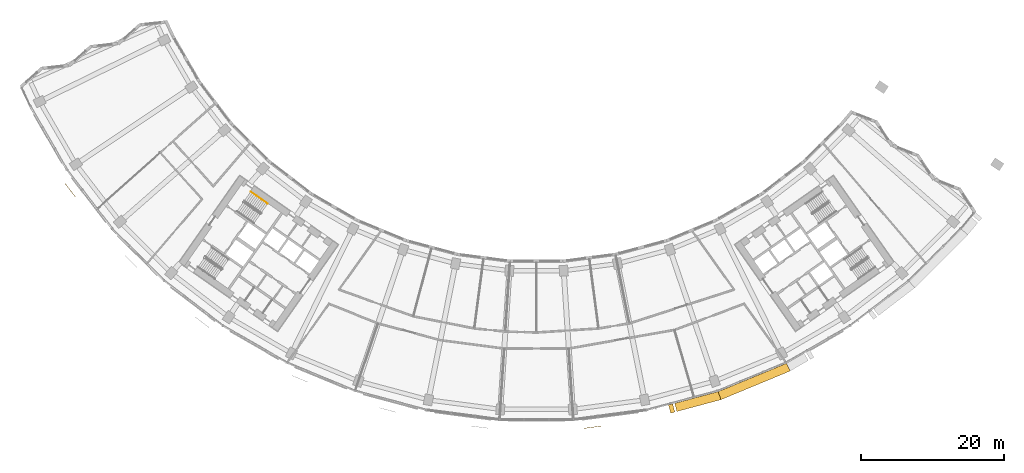
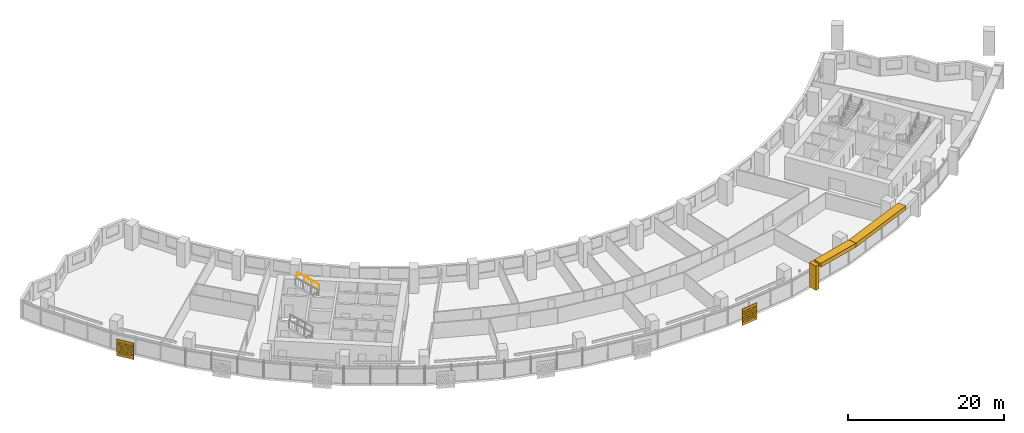
# One storey, part 27 of 29: 5 shading devices, 1 railing.
"""IFC4 building model written with IfcOpenShell, lengths in metres."""

from ifc_helpers import new_model, si_unit, direction, frame, origin, origin_2d, place, context, subcontext, project, spatial, polyline, circle, outline, extrude, material, material_profile, profile_set, type_object, element, save


model = new_model("IFC4")

# Units and contexts
model_context = context("Model", 3, precision=1e-05, world=origin(), true_north=direction((0.0, 1.0)))
body_context = subcontext(model_context, "Body", "Model", "MODEL_VIEW")
ifc_project = project(units=[si_unit("LENGTHUNIT", "METRE"), si_unit("AREAUNIT", "SQUARE_METRE"), si_unit("VOLUMEUNIT", "CUBIC_METRE"), si_unit("PLANEANGLEUNIT", "RADIAN"), si_unit("MASSUNIT", "GRAM", prefix="KILO")], contexts=[model_context])

# Site, building, storey
site_placement = place(None, origin())
site = spatial("IfcSite", under=ifc_project, at=site_placement, CompositionType="ELEMENT")
building_placement = place(site_placement, origin())
building = spatial("IfcBuilding", under=site, at=building_placement, Name="Qamariyya Broadcast Tower", CompositionType="ELEMENT")
storey_placement = place(building_placement, frame((0.0, 0.0, 129.10009765625)))
storey = spatial("IfcBuildingStorey", under=building, at=storey_placement, Name="L29", CompositionType="ELEMENT", Elevation=129.10009765625)

# Shading devices
ifc_material_1 = material(Name="Steel S355 powder coated deep red", Category="steel")
shading_device_type_1 = type_object("IfcShadingDeviceType", Name="Deep red frame, powder coated steel box section", PredefinedType="USERDEFINED", material=ifc_material_1)
shading_device_1_placement = place(storey_placement, origin())
element("IfcShadingDevice", 1, at=shading_device_1_placement, inside=storey, type_object=shading_device_type_1, Name="e-frm-B2-F2-posta-L29", ObjectType="FRAME", PredefinedType="USERDEFINED", context=body_context, shape_type="SweptSolid", body=[
    extrude(outline(polyline([(18.520751953125, -76.958984375), (18.831298828125, -78.1181640625), (19.410888671875, -77.962890625), (19.100341796875, -76.8037109375), (18.520751953125, -76.958984375)])), origin(), (0.0, 0.0, 1.0), 3.7998046875),
])
shading_device_2_placement = place(storey_placement, frame((0.0, 0.0, 3.199951171875)))
element("IfcShadingDevice", 2, at=shading_device_2_placement, inside=storey, type_object=shading_device_type_1, Name="e-frm-B2-F2-top0", ObjectType="FRAME", PredefinedType="USERDEFINED", context=body_context, shape_type="SweptSolid", body=[
    extrude(outline(polyline([(19.39013671875, -76.72607421875), (19.70068359375, -77.88525390625), (25.876708984375, -76.230224609375), (25.490234375, -75.091552734375), (19.39013671875, -76.72607421875)])), origin(), (0.0, 0.0, 1.0), 0.599853515625),
])
shading_device_3_placement = place(storey_placement, frame((0.0, 0.0, 3.199951171875)))
element("IfcShadingDevice", 3, at=shading_device_3_placement, inside=storey, type_object=shading_device_type_1, Name="e-frm-B2-F2-top1", ObjectType="FRAME", PredefinedType="USERDEFINED", context=body_context, shape_type="SweptSolid", body=[
    extrude(outline(polyline([(25.490234375, -75.091552734375), (25.876708984375, -76.230224609375), (35.60546875, -72.20068359375), (35.073486328125, -71.1220703125), (25.490234375, -75.091552734375)])), origin(), (0.0, 0.0, 1.0), 0.599853515625),
])
ifc_material_2 = material(Name="Perforated glazed terracotta", Category="masonry")
ifc_material_profile = material_profile(ifc_material_2, outline(polyline([(-1.199951171875, -1.300048828125), (1.199951171875, -1.300048828125), (1.199951171875, 1.300048828125), (-1.199951171875, 1.300048828125), (-1.199951171875, -1.300048828125)]), holes=[polyline([(-0.81494140625, -0.86669921875), (-0.89990234375, -0.78173828125), (-0.985107421875, -0.86669921875), (-0.89990234375, -0.95166015625), (-0.81494140625, -0.86669921875)]), polyline([(-0.514892578125, -0.86669921875), (-0.60009765625, -0.78173828125), (-0.68505859375, -0.86669921875), (-0.60009765625, -0.95166015625), (-0.514892578125, -0.86669921875)]), polyline([(-0.215087890625, -0.86669921875), (-0.300048828125, -0.78173828125), (-0.385009765625, -0.86669921875), (-0.300048828125, -0.95166015625), (-0.215087890625, -0.86669921875)]), polyline([(0.0849609375, -0.86669921875), (0.0, -0.78173828125), (-0.0849609375, -0.86669921875), (0.0, -0.95166015625), (0.0849609375, -0.86669921875)]), polyline([(0.385009765625, -0.86669921875), (0.300048828125, -0.78173828125), (0.215087890625, -0.86669921875), (0.300048828125, -0.95166015625), (0.385009765625, -0.86669921875)]), polyline([(0.68505859375, -0.86669921875), (0.60009765625, -0.78173828125), (0.514892578125, -0.86669921875), (0.60009765625, -0.95166015625), (0.68505859375, -0.86669921875)]), polyline([(0.985107421875, -0.86669921875), (0.89990234375, -0.78173828125), (0.81494140625, -0.86669921875), (0.89990234375, -0.95166015625), (0.985107421875, -0.86669921875)]), polyline([(-0.965087890625, -0.577880859375), (-1.050048828125, -0.49267578125), (-1.135009765625, -0.577880859375), (-1.050048828125, -0.662841796875), (-0.965087890625, -0.577880859375)]), polyline([(-0.6650390625, -0.577880859375), (-0.75, -0.49267578125), (-0.8349609375, -0.577880859375), (-0.75, -0.662841796875), (-0.6650390625, -0.577880859375)]), polyline([(-0.364990234375, -0.577880859375), (-0.449951171875, -0.49267578125), (-0.534912109375, -0.577880859375), (-0.449951171875, -0.662841796875), (-0.364990234375, -0.577880859375)]), polyline([(-0.06494140625, -0.577880859375), (-0.14990234375, -0.49267578125), (-0.235107421875, -0.577880859375), (-0.14990234375, -0.662841796875), (-0.06494140625, -0.577880859375)]), polyline([(0.235107421875, -0.577880859375), (0.14990234375, -0.49267578125), (0.06494140625, -0.577880859375), (0.14990234375, -0.662841796875), (0.235107421875, -0.577880859375)]), polyline([(0.534912109375, -0.577880859375), (0.449951171875, -0.49267578125), (0.364990234375, -0.577880859375), (0.449951171875, -0.662841796875), (0.534912109375, -0.577880859375)]), polyline([(0.8349609375, -0.577880859375), (0.75, -0.49267578125), (0.6650390625, -0.577880859375), (0.75, -0.662841796875), (0.8349609375, -0.577880859375)]), polyline([(1.135009765625, -0.577880859375), (1.050048828125, -0.49267578125), (0.965087890625, -0.577880859375), (1.050048828125, -0.662841796875), (1.135009765625, -0.577880859375)]), polyline([(-0.81494140625, -0.288818359375), (-0.89990234375, -0.203857421875), (-0.985107421875, -0.288818359375), (-0.89990234375, -0.373779296875), (-0.81494140625, -0.288818359375)]), polyline([(-0.514892578125, -0.288818359375), (-0.60009765625, -0.203857421875), (-0.68505859375, -0.288818359375), (-0.60009765625, -0.373779296875), (-0.514892578125, -0.288818359375)]), polyline([(-0.215087890625, -0.288818359375), (-0.300048828125, -0.203857421875), (-0.385009765625, -0.288818359375), (-0.300048828125, -0.373779296875), (-0.215087890625, -0.288818359375)]), polyline([(0.0849609375, -0.288818359375), (0.0, -0.203857421875), (-0.0849609375, -0.288818359375), (0.0, -0.373779296875), (0.0849609375, -0.288818359375)]), polyline([(0.385009765625, -0.288818359375), (0.300048828125, -0.203857421875), (0.215087890625, -0.288818359375), (0.300048828125, -0.373779296875), (0.385009765625, -0.288818359375)]), polyline([(0.68505859375, -0.288818359375), (0.60009765625, -0.203857421875), (0.514892578125, -0.288818359375), (0.60009765625, -0.373779296875), (0.68505859375, -0.288818359375)]), polyline([(0.985107421875, -0.288818359375), (0.89990234375, -0.203857421875), (0.81494140625, -0.288818359375), (0.89990234375, -0.373779296875), (0.985107421875, -0.288818359375)]), polyline([(-0.965087890625, 0.0), (-1.050048828125, 0.0849609375), (-1.135009765625, 0.0), (-1.050048828125, -0.0849609375), (-0.965087890625, 0.0)]), polyline([(-0.6650390625, 0.0), (-0.75, 0.0849609375), (-0.8349609375, 0.0), (-0.75, -0.0849609375), (-0.6650390625, 0.0)]), polyline([(-0.364990234375, 0.0), (-0.449951171875, 0.0849609375), (-0.534912109375, 0.0), (-0.449951171875, -0.0849609375), (-0.364990234375, 0.0)]), polyline([(-0.06494140625, 0.0), (-0.14990234375, 0.0849609375), (-0.235107421875, 0.0), (-0.14990234375, -0.0849609375), (-0.06494140625, 0.0)]), polyline([(0.235107421875, 0.0), (0.14990234375, 0.0849609375), (0.06494140625, 0.0), (0.14990234375, -0.0849609375), (0.235107421875, 0.0)]), polyline([(0.534912109375, 0.0), (0.449951171875, 0.0849609375), (0.364990234375, 0.0), (0.449951171875, -0.0849609375), (0.534912109375, 0.0)]), polyline([(0.8349609375, 0.0), (0.75, 0.0849609375), (0.6650390625, 0.0), (0.75, -0.0849609375), (0.8349609375, 0.0)]), polyline([(1.135009765625, 0.0), (1.050048828125, 0.0849609375), (0.965087890625, 0.0), (1.050048828125, -0.0849609375), (1.135009765625, 0.0)]), polyline([(-0.81494140625, 0.288818359375), (-0.89990234375, 0.373779296875), (-0.985107421875, 0.288818359375), (-0.89990234375, 0.203857421875), (-0.81494140625, 0.288818359375)]), polyline([(-0.514892578125, 0.288818359375), (-0.60009765625, 0.373779296875), (-0.68505859375, 0.288818359375), (-0.60009765625, 0.203857421875), (-0.514892578125, 0.288818359375)]), polyline([(-0.215087890625, 0.288818359375), (-0.300048828125, 0.373779296875), (-0.385009765625, 0.288818359375), (-0.300048828125, 0.203857421875), (-0.215087890625, 0.288818359375)]), polyline([(0.0849609375, 0.288818359375), (0.0, 0.373779296875), (-0.0849609375, 0.288818359375), (0.0, 0.203857421875), (0.0849609375, 0.288818359375)]), polyline([(0.385009765625, 0.288818359375), (0.300048828125, 0.373779296875), (0.215087890625, 0.288818359375), (0.300048828125, 0.203857421875), (0.385009765625, 0.288818359375)]), polyline([(0.68505859375, 0.288818359375), (0.60009765625, 0.373779296875), (0.514892578125, 0.288818359375), (0.60009765625, 0.203857421875), (0.68505859375, 0.288818359375)]), polyline([(0.985107421875, 0.288818359375), (0.89990234375, 0.373779296875), (0.81494140625, 0.288818359375), (0.89990234375, 0.203857421875), (0.985107421875, 0.288818359375)]), polyline([(-0.965087890625, 0.577880859375), (-1.050048828125, 0.662841796875), (-1.135009765625, 0.577880859375), (-1.050048828125, 0.49267578125), (-0.965087890625, 0.577880859375)]), polyline([(-0.6650390625, 0.577880859375), (-0.75, 0.662841796875), (-0.8349609375, 0.577880859375), (-0.75, 0.49267578125), (-0.6650390625, 0.577880859375)]), polyline([(-0.364990234375, 0.577880859375), (-0.449951171875, 0.662841796875), (-0.534912109375, 0.577880859375), (-0.449951171875, 0.49267578125), (-0.364990234375, 0.577880859375)]), polyline([(-0.06494140625, 0.577880859375), (-0.14990234375, 0.662841796875), (-0.235107421875, 0.577880859375), (-0.14990234375, 0.49267578125), (-0.06494140625, 0.577880859375)]), polyline([(0.235107421875, 0.577880859375), (0.14990234375, 0.662841796875), (0.06494140625, 0.577880859375), (0.14990234375, 0.49267578125), (0.235107421875, 0.577880859375)]), polyline([(0.534912109375, 0.577880859375), (0.449951171875, 0.662841796875), (0.364990234375, 0.577880859375), (0.449951171875, 0.49267578125), (0.534912109375, 0.577880859375)]), polyline([(0.8349609375, 0.577880859375), (0.75, 0.662841796875), (0.6650390625, 0.577880859375), (0.75, 0.49267578125), (0.8349609375, 0.577880859375)]), polyline([(1.135009765625, 0.577880859375), (1.050048828125, 0.662841796875), (0.965087890625, 0.577880859375), (1.050048828125, 0.49267578125), (1.135009765625, 0.577880859375)]), polyline([(-0.81494140625, 0.86669921875), (-0.89990234375, 0.95166015625), (-0.985107421875, 0.86669921875), (-0.89990234375, 0.78173828125), (-0.81494140625, 0.86669921875)]), polyline([(-0.514892578125, 0.86669921875), (-0.60009765625, 0.95166015625), (-0.68505859375, 0.86669921875), (-0.60009765625, 0.78173828125), (-0.514892578125, 0.86669921875)]), polyline([(-0.215087890625, 0.86669921875), (-0.300048828125, 0.95166015625), (-0.385009765625, 0.86669921875), (-0.300048828125, 0.78173828125), (-0.215087890625, 0.86669921875)]), polyline([(0.0849609375, 0.86669921875), (0.0, 0.95166015625), (-0.0849609375, 0.86669921875), (0.0, 0.78173828125), (0.0849609375, 0.86669921875)]), polyline([(0.385009765625, 0.86669921875), (0.300048828125, 0.95166015625), (0.215087890625, 0.86669921875), (0.300048828125, 0.78173828125), (0.385009765625, 0.86669921875)]), polyline([(0.68505859375, 0.86669921875), (0.60009765625, 0.95166015625), (0.514892578125, 0.86669921875), (0.60009765625, 0.78173828125), (0.68505859375, 0.86669921875)]), polyline([(0.985107421875, 0.86669921875), (0.89990234375, 0.95166015625), (0.81494140625, 0.86669921875), (0.89990234375, 0.78173828125), (0.985107421875, 0.86669921875)])]))
ifc_profile_set = profile_set([ifc_material_profile], Name="Perforated glazed terracotta")
shading_device_type_2 = type_object("IfcShadingDeviceType", Name="Perforated terracotta screen 2400 x 2600", PredefinedType="USERDEFINED", material=ifc_profile_set)
shading_device_4_placement = place(storey_placement, frame((-65.392822265625, -46.85009765625, 1.349853515625), z_axis=(-0.792623989105, -0.60971076085, 0.0), x_axis=(0.60971076085, -0.792623989105, 0.0)))
element("IfcShadingDevice", 4, at=shading_device_4_placement, inside=storey, type_object=shading_device_type_2, Name="e-scr-L29-02-0", ObjectType="SCREEN", PredefinedType="USERDEFINED", context=body_context, shape_type="SweptSolid", body=[
    extrude(outline(polyline([(-1.199951171875, -1.300048828125), (1.199951171875, -1.300048828125), (1.199951171875, 1.300048828125), (-1.199951171875, 1.300048828125), (-1.199951171875, -1.300048828125)]), holes=[polyline([(-0.81494140625, -0.86669921875), (-0.89990234375, -0.78173828125), (-0.985107421875, -0.86669921875), (-0.89990234375, -0.95166015625), (-0.81494140625, -0.86669921875)]), polyline([(-0.514892578125, -0.86669921875), (-0.60009765625, -0.78173828125), (-0.68505859375, -0.86669921875), (-0.60009765625, -0.95166015625), (-0.514892578125, -0.86669921875)]), polyline([(-0.215087890625, -0.86669921875), (-0.300048828125, -0.78173828125), (-0.385009765625, -0.86669921875), (-0.300048828125, -0.95166015625), (-0.215087890625, -0.86669921875)]), polyline([(0.0849609375, -0.86669921875), (0.0, -0.78173828125), (-0.0849609375, -0.86669921875), (0.0, -0.95166015625), (0.0849609375, -0.86669921875)]), polyline([(0.385009765625, -0.86669921875), (0.300048828125, -0.78173828125), (0.215087890625, -0.86669921875), (0.300048828125, -0.95166015625), (0.385009765625, -0.86669921875)]), polyline([(0.68505859375, -0.86669921875), (0.60009765625, -0.78173828125), (0.514892578125, -0.86669921875), (0.60009765625, -0.95166015625), (0.68505859375, -0.86669921875)]), polyline([(0.985107421875, -0.86669921875), (0.89990234375, -0.78173828125), (0.81494140625, -0.86669921875), (0.89990234375, -0.95166015625), (0.985107421875, -0.86669921875)]), polyline([(-0.965087890625, -0.577880859375), (-1.050048828125, -0.49267578125), (-1.135009765625, -0.577880859375), (-1.050048828125, -0.662841796875), (-0.965087890625, -0.577880859375)]), polyline([(-0.6650390625, -0.577880859375), (-0.75, -0.49267578125), (-0.8349609375, -0.577880859375), (-0.75, -0.662841796875), (-0.6650390625, -0.577880859375)]), polyline([(-0.364990234375, -0.577880859375), (-0.449951171875, -0.49267578125), (-0.534912109375, -0.577880859375), (-0.449951171875, -0.662841796875), (-0.364990234375, -0.577880859375)]), polyline([(-0.06494140625, -0.577880859375), (-0.14990234375, -0.49267578125), (-0.235107421875, -0.577880859375), (-0.14990234375, -0.662841796875), (-0.06494140625, -0.577880859375)]), polyline([(0.235107421875, -0.577880859375), (0.14990234375, -0.49267578125), (0.06494140625, -0.577880859375), (0.14990234375, -0.662841796875), (0.235107421875, -0.577880859375)]), polyline([(0.534912109375, -0.577880859375), (0.449951171875, -0.49267578125), (0.364990234375, -0.577880859375), (0.449951171875, -0.662841796875), (0.534912109375, -0.577880859375)]), polyline([(0.8349609375, -0.577880859375), (0.75, -0.49267578125), (0.6650390625, -0.577880859375), (0.75, -0.662841796875), (0.8349609375, -0.577880859375)]), polyline([(1.135009765625, -0.577880859375), (1.050048828125, -0.49267578125), (0.965087890625, -0.577880859375), (1.050048828125, -0.662841796875), (1.135009765625, -0.577880859375)]), polyline([(-0.81494140625, -0.288818359375), (-0.89990234375, -0.203857421875), (-0.985107421875, -0.288818359375), (-0.89990234375, -0.373779296875), (-0.81494140625, -0.288818359375)]), polyline([(-0.514892578125, -0.288818359375), (-0.60009765625, -0.203857421875), (-0.68505859375, -0.288818359375), (-0.60009765625, -0.373779296875), (-0.514892578125, -0.288818359375)]), polyline([(-0.215087890625, -0.288818359375), (-0.300048828125, -0.203857421875), (-0.385009765625, -0.288818359375), (-0.300048828125, -0.373779296875), (-0.215087890625, -0.288818359375)]), polyline([(0.0849609375, -0.288818359375), (0.0, -0.203857421875), (-0.0849609375, -0.288818359375), (0.0, -0.373779296875), (0.0849609375, -0.288818359375)]), polyline([(0.385009765625, -0.288818359375), (0.300048828125, -0.203857421875), (0.215087890625, -0.288818359375), (0.300048828125, -0.373779296875), (0.385009765625, -0.288818359375)]), polyline([(0.68505859375, -0.288818359375), (0.60009765625, -0.203857421875), (0.514892578125, -0.288818359375), (0.60009765625, -0.373779296875), (0.68505859375, -0.288818359375)]), polyline([(0.985107421875, -0.288818359375), (0.89990234375, -0.203857421875), (0.81494140625, -0.288818359375), (0.89990234375, -0.373779296875), (0.985107421875, -0.288818359375)]), polyline([(-0.965087890625, 0.0), (-1.050048828125, 0.0849609375), (-1.135009765625, 0.0), (-1.050048828125, -0.0849609375), (-0.965087890625, 0.0)]), polyline([(-0.6650390625, 0.0), (-0.75, 0.0849609375), (-0.8349609375, 0.0), (-0.75, -0.0849609375), (-0.6650390625, 0.0)]), polyline([(-0.364990234375, 0.0), (-0.449951171875, 0.0849609375), (-0.534912109375, 0.0), (-0.449951171875, -0.0849609375), (-0.364990234375, 0.0)]), polyline([(-0.06494140625, 0.0), (-0.14990234375, 0.0849609375), (-0.235107421875, 0.0), (-0.14990234375, -0.0849609375), (-0.06494140625, 0.0)]), polyline([(0.235107421875, 0.0), (0.14990234375, 0.0849609375), (0.06494140625, 0.0), (0.14990234375, -0.0849609375), (0.235107421875, 0.0)]), polyline([(0.534912109375, 0.0), (0.449951171875, 0.0849609375), (0.364990234375, 0.0), (0.449951171875, -0.0849609375), (0.534912109375, 0.0)]), polyline([(0.8349609375, 0.0), (0.75, 0.0849609375), (0.6650390625, 0.0), (0.75, -0.0849609375), (0.8349609375, 0.0)]), polyline([(1.135009765625, 0.0), (1.050048828125, 0.0849609375), (0.965087890625, 0.0), (1.050048828125, -0.0849609375), (1.135009765625, 0.0)]), polyline([(-0.81494140625, 0.288818359375), (-0.89990234375, 0.373779296875), (-0.985107421875, 0.288818359375), (-0.89990234375, 0.203857421875), (-0.81494140625, 0.288818359375)]), polyline([(-0.514892578125, 0.288818359375), (-0.60009765625, 0.373779296875), (-0.68505859375, 0.288818359375), (-0.60009765625, 0.203857421875), (-0.514892578125, 0.288818359375)]), polyline([(-0.215087890625, 0.288818359375), (-0.300048828125, 0.373779296875), (-0.385009765625, 0.288818359375), (-0.300048828125, 0.203857421875), (-0.215087890625, 0.288818359375)]), polyline([(0.0849609375, 0.288818359375), (0.0, 0.373779296875), (-0.0849609375, 0.288818359375), (0.0, 0.203857421875), (0.0849609375, 0.288818359375)]), polyline([(0.385009765625, 0.288818359375), (0.300048828125, 0.373779296875), (0.215087890625, 0.288818359375), (0.300048828125, 0.203857421875), (0.385009765625, 0.288818359375)]), polyline([(0.68505859375, 0.288818359375), (0.60009765625, 0.373779296875), (0.514892578125, 0.288818359375), (0.60009765625, 0.203857421875), (0.68505859375, 0.288818359375)]), polyline([(0.985107421875, 0.288818359375), (0.89990234375, 0.373779296875), (0.81494140625, 0.288818359375), (0.89990234375, 0.203857421875), (0.985107421875, 0.288818359375)]), polyline([(-0.965087890625, 0.577880859375), (-1.050048828125, 0.662841796875), (-1.135009765625, 0.577880859375), (-1.050048828125, 0.49267578125), (-0.965087890625, 0.577880859375)]), polyline([(-0.6650390625, 0.577880859375), (-0.75, 0.662841796875), (-0.8349609375, 0.577880859375), (-0.75, 0.49267578125), (-0.6650390625, 0.577880859375)]), polyline([(-0.364990234375, 0.577880859375), (-0.449951171875, 0.662841796875), (-0.534912109375, 0.577880859375), (-0.449951171875, 0.49267578125), (-0.364990234375, 0.577880859375)]), polyline([(-0.06494140625, 0.577880859375), (-0.14990234375, 0.662841796875), (-0.235107421875, 0.577880859375), (-0.14990234375, 0.49267578125), (-0.06494140625, 0.577880859375)]), polyline([(0.235107421875, 0.577880859375), (0.14990234375, 0.662841796875), (0.06494140625, 0.577880859375), (0.14990234375, 0.49267578125), (0.235107421875, 0.577880859375)]), polyline([(0.534912109375, 0.577880859375), (0.449951171875, 0.662841796875), (0.364990234375, 0.577880859375), (0.449951171875, 0.49267578125), (0.534912109375, 0.577880859375)]), polyline([(0.8349609375, 0.577880859375), (0.75, 0.662841796875), (0.6650390625, 0.577880859375), (0.75, 0.49267578125), (0.8349609375, 0.577880859375)]), polyline([(1.135009765625, 0.577880859375), (1.050048828125, 0.662841796875), (0.965087890625, 0.577880859375), (1.050048828125, 0.49267578125), (1.135009765625, 0.577880859375)]), polyline([(-0.81494140625, 0.86669921875), (-0.89990234375, 0.95166015625), (-0.985107421875, 0.86669921875), (-0.89990234375, 0.78173828125), (-0.81494140625, 0.86669921875)]), polyline([(-0.514892578125, 0.86669921875), (-0.60009765625, 0.95166015625), (-0.68505859375, 0.86669921875), (-0.60009765625, 0.78173828125), (-0.514892578125, 0.86669921875)]), polyline([(-0.215087890625, 0.86669921875), (-0.300048828125, 0.95166015625), (-0.385009765625, 0.86669921875), (-0.300048828125, 0.78173828125), (-0.215087890625, 0.86669921875)]), polyline([(0.0849609375, 0.86669921875), (0.0, 0.95166015625), (-0.0849609375, 0.86669921875), (0.0, 0.78173828125), (0.0849609375, 0.86669921875)]), polyline([(0.385009765625, 0.86669921875), (0.300048828125, 0.95166015625), (0.215087890625, 0.86669921875), (0.300048828125, 0.78173828125), (0.385009765625, 0.86669921875)]), polyline([(0.68505859375, 0.86669921875), (0.60009765625, 0.95166015625), (0.514892578125, 0.86669921875), (0.60009765625, 0.78173828125), (0.68505859375, 0.86669921875)]), polyline([(0.985107421875, 0.86669921875), (0.89990234375, 0.95166015625), (0.81494140625, 0.86669921875), (0.89990234375, 0.78173828125), (0.985107421875, 0.86669921875)])]), origin(), (0.0, 0.0, 1.0), 0.06005859375),
])
shading_device_5_placement = place(storey_placement, frame((7.876953125, -80.056884765625, 1.349853515625), z_axis=(0.134025693798, -0.99097785717, 0.0), x_axis=(0.99097785717, 0.134025693798, 0.0)))
element("IfcShadingDevice", 5, at=shading_device_5_placement, inside=storey, type_object=shading_device_type_2, Name="e-scr-L29-10-0", ObjectType="SCREEN", PredefinedType="USERDEFINED", context=body_context, shape_type="SweptSolid", body=[
    extrude(outline(polyline([(-1.199951171875, -1.300048828125), (1.199951171875, -1.300048828125), (1.199951171875, 1.300048828125), (-1.199951171875, 1.300048828125), (-1.199951171875, -1.300048828125)]), holes=[polyline([(-0.81494140625, -0.86669921875), (-0.89990234375, -0.78173828125), (-0.985107421875, -0.86669921875), (-0.89990234375, -0.95166015625), (-0.81494140625, -0.86669921875)]), polyline([(-0.514892578125, -0.86669921875), (-0.60009765625, -0.78173828125), (-0.68505859375, -0.86669921875), (-0.60009765625, -0.95166015625), (-0.514892578125, -0.86669921875)]), polyline([(-0.215087890625, -0.86669921875), (-0.300048828125, -0.78173828125), (-0.385009765625, -0.86669921875), (-0.300048828125, -0.95166015625), (-0.215087890625, -0.86669921875)]), polyline([(0.0849609375, -0.86669921875), (0.0, -0.78173828125), (-0.0849609375, -0.86669921875), (0.0, -0.95166015625), (0.0849609375, -0.86669921875)]), polyline([(0.385009765625, -0.86669921875), (0.300048828125, -0.78173828125), (0.215087890625, -0.86669921875), (0.300048828125, -0.95166015625), (0.385009765625, -0.86669921875)]), polyline([(0.68505859375, -0.86669921875), (0.60009765625, -0.78173828125), (0.514892578125, -0.86669921875), (0.60009765625, -0.95166015625), (0.68505859375, -0.86669921875)]), polyline([(0.985107421875, -0.86669921875), (0.89990234375, -0.78173828125), (0.81494140625, -0.86669921875), (0.89990234375, -0.95166015625), (0.985107421875, -0.86669921875)]), polyline([(-0.965087890625, -0.577880859375), (-1.050048828125, -0.49267578125), (-1.135009765625, -0.577880859375), (-1.050048828125, -0.662841796875), (-0.965087890625, -0.577880859375)]), polyline([(-0.6650390625, -0.577880859375), (-0.75, -0.49267578125), (-0.8349609375, -0.577880859375), (-0.75, -0.662841796875), (-0.6650390625, -0.577880859375)]), polyline([(-0.364990234375, -0.577880859375), (-0.449951171875, -0.49267578125), (-0.534912109375, -0.577880859375), (-0.449951171875, -0.662841796875), (-0.364990234375, -0.577880859375)]), polyline([(-0.06494140625, -0.577880859375), (-0.14990234375, -0.49267578125), (-0.235107421875, -0.577880859375), (-0.14990234375, -0.662841796875), (-0.06494140625, -0.577880859375)]), polyline([(0.235107421875, -0.577880859375), (0.14990234375, -0.49267578125), (0.06494140625, -0.577880859375), (0.14990234375, -0.662841796875), (0.235107421875, -0.577880859375)]), polyline([(0.534912109375, -0.577880859375), (0.449951171875, -0.49267578125), (0.364990234375, -0.577880859375), (0.449951171875, -0.662841796875), (0.534912109375, -0.577880859375)]), polyline([(0.8349609375, -0.577880859375), (0.75, -0.49267578125), (0.6650390625, -0.577880859375), (0.75, -0.662841796875), (0.8349609375, -0.577880859375)]), polyline([(1.135009765625, -0.577880859375), (1.050048828125, -0.49267578125), (0.965087890625, -0.577880859375), (1.050048828125, -0.662841796875), (1.135009765625, -0.577880859375)]), polyline([(-0.81494140625, -0.288818359375), (-0.89990234375, -0.203857421875), (-0.985107421875, -0.288818359375), (-0.89990234375, -0.373779296875), (-0.81494140625, -0.288818359375)]), polyline([(-0.514892578125, -0.288818359375), (-0.60009765625, -0.203857421875), (-0.68505859375, -0.288818359375), (-0.60009765625, -0.373779296875), (-0.514892578125, -0.288818359375)]), polyline([(-0.215087890625, -0.288818359375), (-0.300048828125, -0.203857421875), (-0.385009765625, -0.288818359375), (-0.300048828125, -0.373779296875), (-0.215087890625, -0.288818359375)]), polyline([(0.0849609375, -0.288818359375), (0.0, -0.203857421875), (-0.0849609375, -0.288818359375), (0.0, -0.373779296875), (0.0849609375, -0.288818359375)]), polyline([(0.385009765625, -0.288818359375), (0.300048828125, -0.203857421875), (0.215087890625, -0.288818359375), (0.300048828125, -0.373779296875), (0.385009765625, -0.288818359375)]), polyline([(0.68505859375, -0.288818359375), (0.60009765625, -0.203857421875), (0.514892578125, -0.288818359375), (0.60009765625, -0.373779296875), (0.68505859375, -0.288818359375)]), polyline([(0.985107421875, -0.288818359375), (0.89990234375, -0.203857421875), (0.81494140625, -0.288818359375), (0.89990234375, -0.373779296875), (0.985107421875, -0.288818359375)]), polyline([(-0.965087890625, 0.0), (-1.050048828125, 0.0849609375), (-1.135009765625, 0.0), (-1.050048828125, -0.0849609375), (-0.965087890625, 0.0)]), polyline([(-0.6650390625, 0.0), (-0.75, 0.0849609375), (-0.8349609375, 0.0), (-0.75, -0.0849609375), (-0.6650390625, 0.0)]), polyline([(-0.364990234375, 0.0), (-0.449951171875, 0.0849609375), (-0.534912109375, 0.0), (-0.449951171875, -0.0849609375), (-0.364990234375, 0.0)]), polyline([(-0.06494140625, 0.0), (-0.14990234375, 0.0849609375), (-0.235107421875, 0.0), (-0.14990234375, -0.0849609375), (-0.06494140625, 0.0)]), polyline([(0.235107421875, 0.0), (0.14990234375, 0.0849609375), (0.06494140625, 0.0), (0.14990234375, -0.0849609375), (0.235107421875, 0.0)]), polyline([(0.534912109375, 0.0), (0.449951171875, 0.0849609375), (0.364990234375, 0.0), (0.449951171875, -0.0849609375), (0.534912109375, 0.0)]), polyline([(0.8349609375, 0.0), (0.75, 0.0849609375), (0.6650390625, 0.0), (0.75, -0.0849609375), (0.8349609375, 0.0)]), polyline([(1.135009765625, 0.0), (1.050048828125, 0.0849609375), (0.965087890625, 0.0), (1.050048828125, -0.0849609375), (1.135009765625, 0.0)]), polyline([(-0.81494140625, 0.288818359375), (-0.89990234375, 0.373779296875), (-0.985107421875, 0.288818359375), (-0.89990234375, 0.203857421875), (-0.81494140625, 0.288818359375)]), polyline([(-0.514892578125, 0.288818359375), (-0.60009765625, 0.373779296875), (-0.68505859375, 0.288818359375), (-0.60009765625, 0.203857421875), (-0.514892578125, 0.288818359375)]), polyline([(-0.215087890625, 0.288818359375), (-0.300048828125, 0.373779296875), (-0.385009765625, 0.288818359375), (-0.300048828125, 0.203857421875), (-0.215087890625, 0.288818359375)]), polyline([(0.0849609375, 0.288818359375), (0.0, 0.373779296875), (-0.0849609375, 0.288818359375), (0.0, 0.203857421875), (0.0849609375, 0.288818359375)]), polyline([(0.385009765625, 0.288818359375), (0.300048828125, 0.373779296875), (0.215087890625, 0.288818359375), (0.300048828125, 0.203857421875), (0.385009765625, 0.288818359375)]), polyline([(0.68505859375, 0.288818359375), (0.60009765625, 0.373779296875), (0.514892578125, 0.288818359375), (0.60009765625, 0.203857421875), (0.68505859375, 0.288818359375)]), polyline([(0.985107421875, 0.288818359375), (0.89990234375, 0.373779296875), (0.81494140625, 0.288818359375), (0.89990234375, 0.203857421875), (0.985107421875, 0.288818359375)]), polyline([(-0.965087890625, 0.577880859375), (-1.050048828125, 0.662841796875), (-1.135009765625, 0.577880859375), (-1.050048828125, 0.49267578125), (-0.965087890625, 0.577880859375)]), polyline([(-0.6650390625, 0.577880859375), (-0.75, 0.662841796875), (-0.8349609375, 0.577880859375), (-0.75, 0.49267578125), (-0.6650390625, 0.577880859375)]), polyline([(-0.364990234375, 0.577880859375), (-0.449951171875, 0.662841796875), (-0.534912109375, 0.577880859375), (-0.449951171875, 0.49267578125), (-0.364990234375, 0.577880859375)]), polyline([(-0.06494140625, 0.577880859375), (-0.14990234375, 0.662841796875), (-0.235107421875, 0.577880859375), (-0.14990234375, 0.49267578125), (-0.06494140625, 0.577880859375)]), polyline([(0.235107421875, 0.577880859375), (0.14990234375, 0.662841796875), (0.06494140625, 0.577880859375), (0.14990234375, 0.49267578125), (0.235107421875, 0.577880859375)]), polyline([(0.534912109375, 0.577880859375), (0.449951171875, 0.662841796875), (0.364990234375, 0.577880859375), (0.449951171875, 0.49267578125), (0.534912109375, 0.577880859375)]), polyline([(0.8349609375, 0.577880859375), (0.75, 0.662841796875), (0.6650390625, 0.577880859375), (0.75, 0.49267578125), (0.8349609375, 0.577880859375)]), polyline([(1.135009765625, 0.577880859375), (1.050048828125, 0.662841796875), (0.965087890625, 0.577880859375), (1.050048828125, 0.49267578125), (1.135009765625, 0.577880859375)]), polyline([(-0.81494140625, 0.86669921875), (-0.89990234375, 0.95166015625), (-0.985107421875, 0.86669921875), (-0.89990234375, 0.78173828125), (-0.81494140625, 0.86669921875)]), polyline([(-0.514892578125, 0.86669921875), (-0.60009765625, 0.95166015625), (-0.68505859375, 0.86669921875), (-0.60009765625, 0.78173828125), (-0.514892578125, 0.86669921875)]), polyline([(-0.215087890625, 0.86669921875), (-0.300048828125, 0.95166015625), (-0.385009765625, 0.86669921875), (-0.300048828125, 0.78173828125), (-0.215087890625, 0.86669921875)]), polyline([(0.0849609375, 0.86669921875), (0.0, 0.95166015625), (-0.0849609375, 0.86669921875), (0.0, 0.78173828125), (0.0849609375, 0.86669921875)]), polyline([(0.385009765625, 0.86669921875), (0.300048828125, 0.95166015625), (0.215087890625, 0.86669921875), (0.300048828125, 0.78173828125), (0.385009765625, 0.86669921875)]), polyline([(0.68505859375, 0.86669921875), (0.60009765625, 0.95166015625), (0.514892578125, 0.86669921875), (0.60009765625, 0.78173828125), (0.68505859375, 0.86669921875)]), polyline([(0.985107421875, 0.86669921875), (0.89990234375, 0.95166015625), (0.81494140625, 0.86669921875), (0.89990234375, 0.78173828125), (0.985107421875, 0.86669921875)])]), origin(), (0.0, 0.0, 1.0), 0.06005859375),
])

# Railing
ifc_material_3 = material(Name="Stainless steel", Category="steel")
railing_type = type_object("IfcRailingType", Name="Stair handrail", PredefinedType="HANDRAIL", material=ifc_material_3)
railing_placement = place(storey_placement, frame((-37.73876953125, -48.7138671875, 2.072509765625)))
element("IfcRailing", 6, at=railing_placement, inside=storey, type_object=railing_type, Name="L29 ST-W2 stair handrail 2", PredefinedType="HANDRAIL", context=body_context, shape_type="SweptSolid", body=[
    extrude(circle(Radius=0.02392578125, at=origin_2d()), frame((0.0, 0.0, 0.8759765625), z_axis=(-0.703745009021, 0.492838488332, 0.511715923826), x_axis=(-0.573631830683, -0.819113253969, 0.0)), (0.0, 0.0, 1.0), 3.37548828125),
    extrude(circle(Radius=0.02099609375, at=origin_2d()), origin(), (0.0, 0.0, 1.0), 0.851806640625),
    extrude(circle(Radius=0.02099609375, at=origin_2d()), frame((-0.791748046875, 0.554443359375, 0.57568359375)), (0.0, 0.0, 1.0), 0.851806640625),
    extrude(circle(Radius=0.02099609375, at=origin_2d()), frame((-1.583740234375, 1.109130859375, 1.151611328125)), (0.0, 0.0, 1.0), 0.851806640625),
    extrude(circle(Radius=0.02099609375, at=origin_2d()), frame((-2.37548828125, 1.66357421875, 1.727294921875)), (0.0, 0.0, 1.0), 0.851806640625),
])

save(model, "model.ifc")
